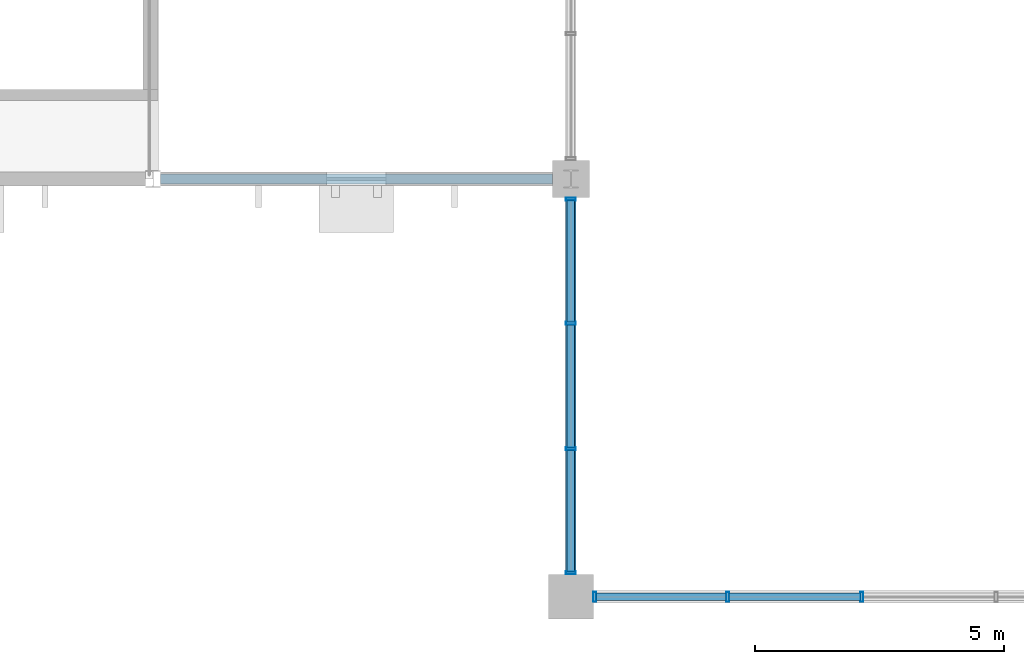
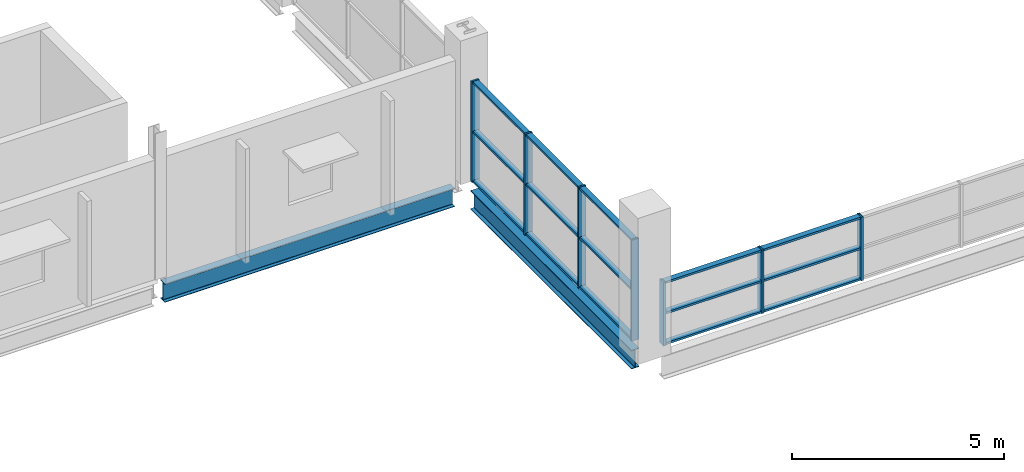
# One storey, part 10 of 68: 22 members, 2 beams, 2 elements without a shape of their own.
"""IFC4 building model written with IfcOpenShell, lengths in metres."""

from ifc_helpers import new_model, si_unit, direction, frame, origin, origin_2d, place, context, subcontext, project, spatial, hollow_rectangle, i_section, extrude, material, material_profile, profile_set, type_object, element, aggregate, save


model = new_model("IFC4")

# Units and contexts
model_context = context("Model", 3, precision=1e-05, world=origin(), true_north=direction((0.0, 1.0)))
body_context = subcontext(model_context, "Body", "Model", "MODEL_VIEW")
ifc_project = project(units=[si_unit("LENGTHUNIT", "METRE"), si_unit("AREAUNIT", "SQUARE_METRE"), si_unit("VOLUMEUNIT", "CUBIC_METRE"), si_unit("PLANEANGLEUNIT", "RADIAN"), si_unit("MASSUNIT", "GRAM", prefix="KILO"), si_unit("THERMODYNAMICTEMPERATUREUNIT", "KELVIN")], contexts=[model_context])

# Site, building, storey
site_placement = place(None, origin())
site = spatial("IfcSite", under=ifc_project, at=site_placement, CompositionType="ELEMENT")
building_placement = place(site_placement, origin())
building = spatial("IfcBuilding", under=site, at=building_placement, Name="Nduvali Passage Aquatics Centre", CompositionType="ELEMENT")
storey_placement = place(building_placement, frame((0.0, 0.0, 13.199951171875)))
storey = spatial("IfcBuildingStorey", under=building, at=storey_placement, Name="L03", CompositionType="ELEMENT", Elevation=13.199951171875)

# Curtain wall, members
ifc_material_1 = material(Name="Aluminium EN AW-6063 T6", Category="aluminium")
curtain_wall_type = type_object("IfcCurtainWallType", Name="ENV-CW-CLER", PredefinedType="NOTDEFINED", material=ifc_material_1)
curtain_wall_1_placement = place(storey_placement, origin())
curtain_wall_1 = element("IfcCurtainWall", 1, at=curtain_wall_1_placement, inside=storey, type_object=curtain_wall_type, Name="L03 West Pool Hall High Arch Clerestory 004", PredefinedType="NOTDEFINED")
ifc_material_profile_1 = material_profile(ifc_material_1, hollow_rectangle(XDim=0.06005859375, YDim=0.199951171875, WallThickness=0.00390625, at=origin_2d()), Name="ALU MULLION 60x200x4")
ifc_profile_set_1 = profile_set([ifc_material_profile_1], Name="Aluminium EN AW-6063 T6")
member_type_1 = type_object("IfcMemberType", Name="ENV-MEM-MUL80", PredefinedType="MULLION", material=ifc_profile_set_1)
member_1_placement = place(storey_placement, frame((25.199951171875, 25.679931640625, 0.0), z_axis=(0.0, 0.0, 1.0), x_axis=(0.0, 1.0, 0.0)))
member_1 = element("IfcMember", 2, at=member_1_placement, type_object=member_type_1, Name="West Pool Hall High Arch Clerestory Mullion 1", PredefinedType="MULLION", context=body_context, shape_type="SweptSolid", body=[
    extrude(hollow_rectangle(XDim=0.06005859375, YDim=0.199951171875, WallThickness=0.00390625, at=origin_2d()), origin(), (0.0, 0.0, 1.0), 2.900146484375),
])
member_2_placement = place(storey_placement, frame((25.199951171875, 28.175048828125, 0.0), z_axis=(0.0, 0.0, 1.0), x_axis=(0.0, 1.0, 0.0)))
member_2 = element("IfcMember", 3, at=member_2_placement, type_object=member_type_1, Name="West Pool Hall High Arch Clerestory Mullion 2", PredefinedType="MULLION", context=body_context, shape_type="SweptSolid", body=[
    extrude(hollow_rectangle(XDim=0.06005859375, YDim=0.199951171875, WallThickness=0.00390625, at=origin_2d()), origin(), (0.0, 0.0, 1.0), 2.900146484375),
])
member_3_placement = place(storey_placement, frame((25.199951171875, 30.699951171875, 0.0), z_axis=(0.0, 0.0, 1.0), x_axis=(0.0, 1.0, 0.0)))
member_3 = element("IfcMember", 4, at=member_3_placement, type_object=member_type_1, Name="West Pool Hall High Arch Clerestory Mullion 3", PredefinedType="MULLION", context=body_context, shape_type="SweptSolid", body=[
    extrude(hollow_rectangle(XDim=0.06005859375, YDim=0.199951171875, WallThickness=0.00390625, at=origin_2d()), origin(), (0.0, 0.0, 1.0), 2.900146484375),
])
member_4_placement = place(storey_placement, frame((25.199951171875, 33.195068359375, 0.0), z_axis=(0.0, 0.0, 1.0), x_axis=(0.0, 1.0, 0.0)))
member_4 = element("IfcMember", 5, at=member_4_placement, type_object=member_type_1, Name="West Pool Hall High Arch Clerestory Mullion 4", PredefinedType="MULLION", context=body_context, shape_type="SweptSolid", body=[
    extrude(hollow_rectangle(XDim=0.06005859375, YDim=0.199951171875, WallThickness=0.00390625, at=origin_2d()), origin(), (0.0, 0.0, 1.0), 2.900146484375),
])

curtain_wall_2_placement = place(storey_placement, origin())
curtain_wall_2 = element("IfcCurtainWall", 6, at=curtain_wall_2_placement, inside=storey, type_object=curtain_wall_type, Name="L03 South Pool Hall High Eave Clerestory 046", PredefinedType="NOTDEFINED")
member_5_placement = place(storey_placement, frame((25.679931640625, 25.199951171875, 0.0), z_axis=(0.0, 0.0, 1.0), x_axis=(1.0, 0.0, 0.0)))
member_5 = element("IfcMember", 7, at=member_5_placement, type_object=member_type_1, Name="South Pool Hall High Eave Clerestory Mullion 1", PredefinedType="MULLION", context=body_context, shape_type="SweptSolid", body=[
    extrude(hollow_rectangle(XDim=0.06005859375, YDim=0.199951171875, WallThickness=0.00390625, at=origin_2d()), origin(), (0.0, 0.0, 1.0), 1.821044921875),
])
member_6_placement = place(storey_placement, frame((28.35009765625, 25.199951171875, 0.0), z_axis=(0.0, 0.0, 1.0), x_axis=(1.0, 0.0, 0.0)))
member_6 = element("IfcMember", 8, at=member_6_placement, type_object=member_type_1, Name="South Pool Hall High Eave Clerestory Mullion 2", PredefinedType="MULLION", context=body_context, shape_type="SweptSolid", body=[
    extrude(hollow_rectangle(XDim=0.06005859375, YDim=0.199951171875, WallThickness=0.00390625, at=origin_2d()), origin(), (0.0, 0.0, 1.0), 1.821044921875),
])
member_7_placement = place(storey_placement, frame((31.050048828125, 25.199951171875, 0.0), z_axis=(0.0, 0.0, 1.0), x_axis=(1.0, 0.0, 0.0)))
member_7 = element("IfcMember", 9, at=member_7_placement, type_object=member_type_1, Name="South Pool Hall High Eave Clerestory Mullion 3", PredefinedType="MULLION", context=body_context, shape_type="SweptSolid", body=[
    extrude(hollow_rectangle(XDim=0.06005859375, YDim=0.199951171875, WallThickness=0.00390625, at=origin_2d()), origin(), (0.0, 0.0, 1.0), 1.821044921875),
])

# Member
ifc_material_profile_2 = material_profile(ifc_material_1, hollow_rectangle(XDim=0.14990234375, YDim=0.06005859375, WallThickness=0.00390625, at=origin_2d()), Name="ALU TRANSOM 150x60x4")
ifc_profile_set_2 = profile_set([ifc_material_profile_2], Name="Aluminium EN AW-6063 T6")
member_type_2 = type_object("IfcMemberType", Name="ENV-MEM-TRN80", PredefinedType="USERDEFINED", material=ifc_profile_set_2)
member_8_placement = place(storey_placement, frame((25.199951171875, 25.7099609375, 0.030029296875), z_axis=(0.0, 1.0, 0.0), x_axis=(-1.0, 0.0, 0.0)))
member_8 = element("IfcMember", 10, at=member_8_placement, type_object=member_type_2, Name="West Pool Hall High Arch Clerestory Transom B1-R0", ObjectType="TRANSOM", PredefinedType="USERDEFINED", context=body_context, shape_type="SweptSolid", body=[
    extrude(hollow_rectangle(XDim=0.14990234375, YDim=0.06005859375, WallThickness=0.00390625, at=origin_2d()), origin(), (0.0, 0.0, 1.0), 2.43505859375),
])

member_9_placement = place(storey_placement, frame((25.199951171875, 25.7099609375, 1.449951171875), z_axis=(0.0, 1.0, 0.0), x_axis=(-1.0, 0.0, 0.0)))
member_9 = element("IfcMember", 11, at=member_9_placement, type_object=member_type_2, Name="West Pool Hall High Arch Clerestory Transom B1-R1", ObjectType="TRANSOM", PredefinedType="USERDEFINED", context=body_context, shape_type="SweptSolid", body=[
    extrude(hollow_rectangle(XDim=0.14990234375, YDim=0.06005859375, WallThickness=0.00390625, at=origin_2d()), origin(), (0.0, 0.0, 1.0), 2.43505859375),
])

member_10_placement = place(storey_placement, frame((25.199951171875, 25.7099609375, 2.8701171875), z_axis=(0.0, 1.0, 0.0), x_axis=(-1.0, 0.0, 0.0)))
member_10 = element("IfcMember", 12, at=member_10_placement, type_object=member_type_2, Name="West Pool Hall High Arch Clerestory Transom B1-R2", ObjectType="TRANSOM", PredefinedType="USERDEFINED", context=body_context, shape_type="SweptSolid", body=[
    extrude(hollow_rectangle(XDim=0.14990234375, YDim=0.06005859375, WallThickness=0.00390625, at=origin_2d()), origin(), (0.0, 0.0, 1.0), 2.43505859375),
])

member_11_placement = place(storey_placement, frame((25.199951171875, 28.205078125, 0.030029296875), z_axis=(0.0, 1.0, 0.0), x_axis=(-1.0, 0.0, 0.0)))
member_11 = element("IfcMember", 13, at=member_11_placement, type_object=member_type_2, Name="West Pool Hall High Arch Clerestory Transom B2-R0", ObjectType="TRANSOM", PredefinedType="USERDEFINED", context=body_context, shape_type="SweptSolid", body=[
    extrude(hollow_rectangle(XDim=0.14990234375, YDim=0.06005859375, WallThickness=0.00390625, at=origin_2d()), origin(), (0.0, 0.0, 1.0), 2.46484375),
])

member_12_placement = place(storey_placement, frame((25.199951171875, 28.205078125, 1.449951171875), z_axis=(0.0, 1.0, 0.0), x_axis=(-1.0, 0.0, 0.0)))
member_12 = element("IfcMember", 14, at=member_12_placement, type_object=member_type_2, Name="West Pool Hall High Arch Clerestory Transom B2-R1", ObjectType="TRANSOM", PredefinedType="USERDEFINED", context=body_context, shape_type="SweptSolid", body=[
    extrude(hollow_rectangle(XDim=0.14990234375, YDim=0.06005859375, WallThickness=0.00390625, at=origin_2d()), origin(), (0.0, 0.0, 1.0), 2.46484375),
])

member_13_placement = place(storey_placement, frame((25.199951171875, 28.205078125, 2.8701171875), z_axis=(0.0, 1.0, 0.0), x_axis=(-1.0, 0.0, 0.0)))
member_13 = element("IfcMember", 15, at=member_13_placement, type_object=member_type_2, Name="West Pool Hall High Arch Clerestory Transom B2-R2", ObjectType="TRANSOM", PredefinedType="USERDEFINED", context=body_context, shape_type="SweptSolid", body=[
    extrude(hollow_rectangle(XDim=0.14990234375, YDim=0.06005859375, WallThickness=0.00390625, at=origin_2d()), origin(), (0.0, 0.0, 1.0), 2.46484375),
])

member_14_placement = place(storey_placement, frame((25.199951171875, 30.72998046875, 0.030029296875), z_axis=(0.0, 1.0, 0.0), x_axis=(-1.0, 0.0, 0.0)))
member_14 = element("IfcMember", 16, at=member_14_placement, type_object=member_type_2, Name="West Pool Hall High Arch Clerestory Transom B3-R0", ObjectType="TRANSOM", PredefinedType="USERDEFINED", context=body_context, shape_type="SweptSolid", body=[
    extrude(hollow_rectangle(XDim=0.14990234375, YDim=0.06005859375, WallThickness=0.00390625, at=origin_2d()), origin(), (0.0, 0.0, 1.0), 2.43505859375),
])

member_15_placement = place(storey_placement, frame((25.199951171875, 30.72998046875, 1.449951171875), z_axis=(0.0, 1.0, 0.0), x_axis=(-1.0, 0.0, 0.0)))
member_15 = element("IfcMember", 17, at=member_15_placement, type_object=member_type_2, Name="West Pool Hall High Arch Clerestory Transom B3-R1", ObjectType="TRANSOM", PredefinedType="USERDEFINED", context=body_context, shape_type="SweptSolid", body=[
    extrude(hollow_rectangle(XDim=0.14990234375, YDim=0.06005859375, WallThickness=0.00390625, at=origin_2d()), origin(), (0.0, 0.0, 1.0), 2.43505859375),
])

member_16_placement = place(storey_placement, frame((25.199951171875, 30.72998046875, 2.8701171875), z_axis=(0.0, 1.0, 0.0), x_axis=(-1.0, 0.0, 0.0)))
member_16 = element("IfcMember", 18, at=member_16_placement, type_object=member_type_2, Name="West Pool Hall High Arch Clerestory Transom B3-R2", ObjectType="TRANSOM", PredefinedType="USERDEFINED", context=body_context, shape_type="SweptSolid", body=[
    extrude(hollow_rectangle(XDim=0.14990234375, YDim=0.06005859375, WallThickness=0.00390625, at=origin_2d()), origin(), (0.0, 0.0, 1.0), 2.43505859375),
])

aggregate(curtain_wall_1, [member_1, member_2, member_3, member_4, member_8, member_9, member_10, member_11, member_12, member_13, member_14, member_15, member_16])

member_17_placement = place(storey_placement, frame((25.7099609375, 25.199951171875, 0.030029296875), z_axis=(1.0, 0.0, 0.0), x_axis=(0.0, 1.0, 0.0)))
member_17 = element("IfcMember", 19, at=member_17_placement, type_object=member_type_2, Name="South Pool Hall High Eave Clerestory Transom B1-R0", ObjectType="TRANSOM", PredefinedType="USERDEFINED", context=body_context, shape_type="SweptSolid", body=[
    extrude(hollow_rectangle(XDim=0.14990234375, YDim=0.06005859375, WallThickness=0.00390625, at=origin_2d()), origin(), (0.0, 0.0, 1.0), 2.610107421875),
])

member_18_placement = place(storey_placement, frame((25.7099609375, 25.199951171875, 0.91064453125), z_axis=(1.0, 0.0, 0.0), x_axis=(0.0, 1.0, 0.0)))
member_18 = element("IfcMember", 20, at=member_18_placement, type_object=member_type_2, Name="South Pool Hall High Eave Clerestory Transom B1-R1", ObjectType="TRANSOM", PredefinedType="USERDEFINED", context=body_context, shape_type="SweptSolid", body=[
    extrude(hollow_rectangle(XDim=0.14990234375, YDim=0.06005859375, WallThickness=0.00390625, at=origin_2d()), origin(), (0.0, 0.0, 1.0), 2.610107421875),
])

member_19_placement = place(storey_placement, frame((25.7099609375, 25.199951171875, 1.791015625), z_axis=(1.0, 0.0, 0.0), x_axis=(0.0, 1.0, 0.0)))
member_19 = element("IfcMember", 21, at=member_19_placement, type_object=member_type_2, Name="South Pool Hall High Eave Clerestory Transom B1-R2", ObjectType="TRANSOM", PredefinedType="USERDEFINED", context=body_context, shape_type="SweptSolid", body=[
    extrude(hollow_rectangle(XDim=0.14990234375, YDim=0.06005859375, WallThickness=0.00390625, at=origin_2d()), origin(), (0.0, 0.0, 1.0), 2.610107421875),
])

member_20_placement = place(storey_placement, frame((28.3798828125, 25.199951171875, 0.030029296875), z_axis=(1.0, 0.0, 0.0), x_axis=(0.0, 1.0, 0.0)))
member_20 = element("IfcMember", 22, at=member_20_placement, type_object=member_type_2, Name="South Pool Hall High Eave Clerestory Transom B2-R0", ObjectType="TRANSOM", PredefinedType="USERDEFINED", context=body_context, shape_type="SweptSolid", body=[
    extrude(hollow_rectangle(XDim=0.14990234375, YDim=0.06005859375, WallThickness=0.00390625, at=origin_2d()), origin(), (0.0, 0.0, 1.0), 2.64013671875),
])

member_21_placement = place(storey_placement, frame((28.3798828125, 25.199951171875, 0.91064453125), z_axis=(1.0, 0.0, 0.0), x_axis=(0.0, 1.0, 0.0)))
member_21 = element("IfcMember", 23, at=member_21_placement, type_object=member_type_2, Name="South Pool Hall High Eave Clerestory Transom B2-R1", ObjectType="TRANSOM", PredefinedType="USERDEFINED", context=body_context, shape_type="SweptSolid", body=[
    extrude(hollow_rectangle(XDim=0.14990234375, YDim=0.06005859375, WallThickness=0.00390625, at=origin_2d()), origin(), (0.0, 0.0, 1.0), 2.64013671875),
])

member_22_placement = place(storey_placement, frame((28.3798828125, 25.199951171875, 1.791015625), z_axis=(1.0, 0.0, 0.0), x_axis=(0.0, 1.0, 0.0)))
member_22 = element("IfcMember", 24, at=member_22_placement, type_object=member_type_2, Name="South Pool Hall High Eave Clerestory Transom B2-R2", ObjectType="TRANSOM", PredefinedType="USERDEFINED", context=body_context, shape_type="SweptSolid", body=[
    extrude(hollow_rectangle(XDim=0.14990234375, YDim=0.06005859375, WallThickness=0.00390625, at=origin_2d()), origin(), (0.0, 0.0, 1.0), 2.64013671875),
])

aggregate(curtain_wall_2, [member_5, member_6, member_7, member_17, member_18, member_19, member_20, member_21, member_22])

# Beams
ifc_material_2 = material(Name="Steel S355", Category="steel")
ifc_material_profile_3 = material_profile(ifc_material_2, i_section(OverallWidth=0.210693359375, OverallDepth=0.53955078125, WebThickness=0.01171875, FlangeThickness=0.018798828125, FilletRadius=0.0126953125, at=origin_2d()), Name="UKB 533x210x109")
ifc_profile_set_3 = profile_set([ifc_material_profile_3], Name="Steel S355")
beam_type_1 = type_object("IfcBeamType", Name="STR-BM-UKB533-EXT", PredefinedType="BEAM", material=ifc_profile_set_3)
beam_1_placement = place(storey_placement, frame((25.199951171875, 25.64990234375, -0.523681640625), z_axis=(0.0, 1.0, 0.0), x_axis=(-1.0, 0.0, 0.0)))
element("IfcBeam", 25, at=beam_1_placement, inside=storey, type_object=beam_type_1, Name="L03 Primary Y-Girder B6E-1249", PredefinedType="BEAM", context=body_context, shape_type="SweptSolid", body=[
    extrude(i_section(OverallWidth=0.210693359375, OverallDepth=0.53955078125, WebThickness=0.01171875, FlangeThickness=0.018798828125, FilletRadius=0.0126953125, at=origin_2d()), origin(), (0.0, 0.0, 1.0), 7.5751953125),
])
ifc_material_profile_4 = material_profile(ifc_material_2, i_section(OverallWidth=0.209228515625, OverallDepth=0.533203125, WebThickness=0.010009765625, FlangeThickness=0.015625, FilletRadius=0.0126953125, at=origin_2d()), Name="UKB 533x210x92")
ifc_profile_set_4 = profile_set([ifc_material_profile_4], Name="Steel S355")
beam_type_2 = type_object("IfcBeamType", Name="STR-BM-UKB533L", PredefinedType="BEAM", material=ifc_profile_set_4)
beam_2_placement = place(storey_placement, frame((16.949951171875, 33.60009765625, -0.5205078125), z_axis=(1.0, 0.0, 0.0), x_axis=(0.0, 1.0, 0.0)))
element("IfcBeam", 26, at=beam_2_placement, inside=storey, type_object=beam_type_2, Name="L03 Primary X-Girder B6A-1207", PredefinedType="BEAM", context=body_context, shape_type="SweptSolid", body=[
    extrude(i_section(OverallWidth=0.209228515625, OverallDepth=0.533203125, WebThickness=0.010009765625, FlangeThickness=0.015625, FilletRadius=0.0126953125, at=origin_2d()), origin(), (0.0, 0.0, 1.0), 7.875),
])

save(model, "model.ifc")
